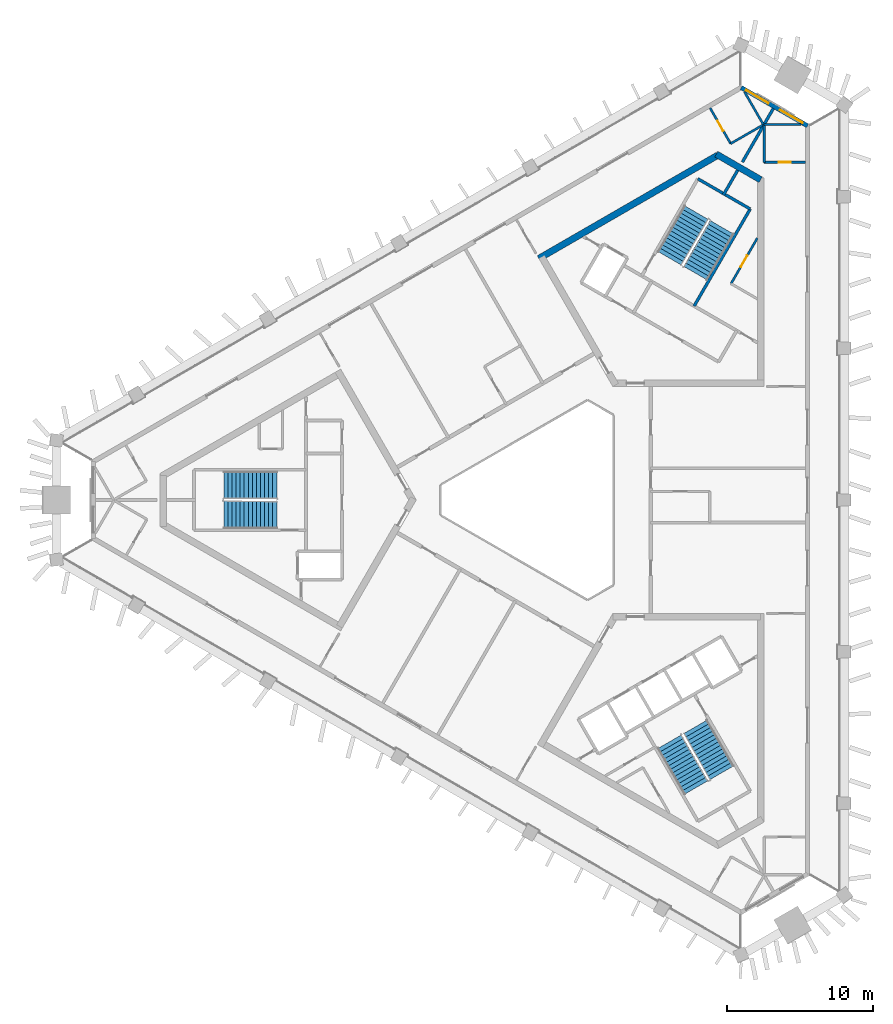
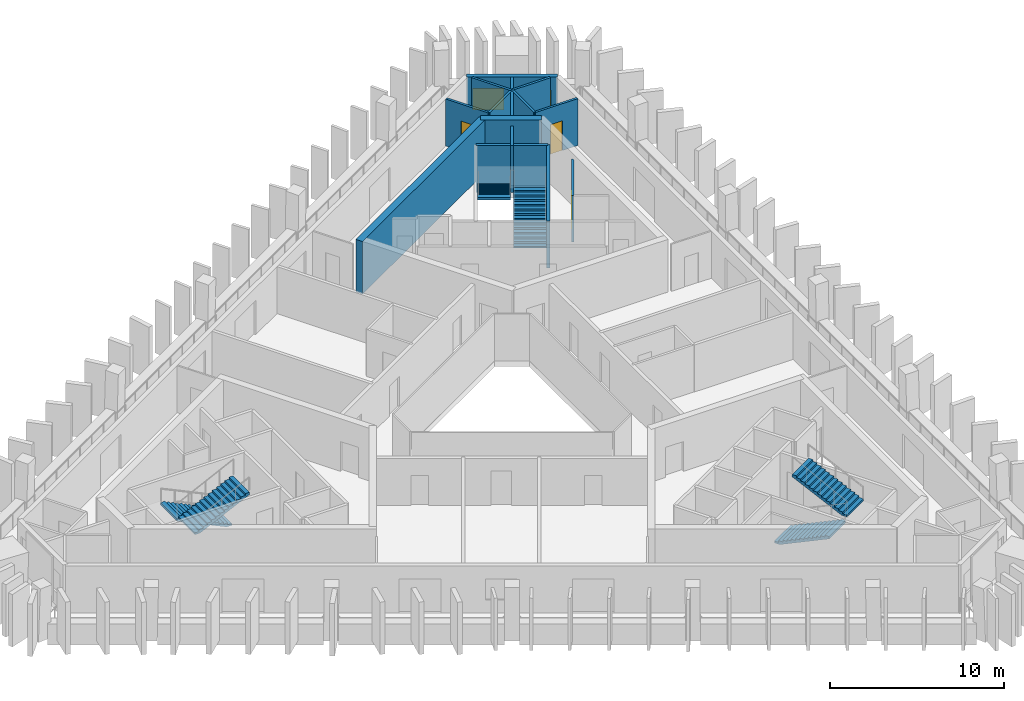
# One storey, part 6 of 9: 14 walls, 6 stair flights, 3 doors, 2 windows, 5 openings, 3 elements without a shape of their own.
"""IFC4 building model written with IfcOpenShell, lengths in metres."""

from ifc_helpers import new_model, si_unit, direction, frame, frame_2d, origin, place, context, subcontext, project, spatial, polyline, rectangle, outline, extrude, material, layer, layer_set, type_object, element, fill, aggregate, save


model = new_model("IFC4")

# Units and contexts
model_context = context("Model", 3, precision=1e-05, world=origin(), true_north=direction((0.0, 1.0)))
body_context = subcontext(model_context, "Body", "Model", "MODEL_VIEW")
ifc_project = project(units=[si_unit("LENGTHUNIT", "METRE"), si_unit("AREAUNIT", "SQUARE_METRE"), si_unit("VOLUMEUNIT", "CUBIC_METRE"), si_unit("PLANEANGLEUNIT", "RADIAN"), si_unit("MASSUNIT", "GRAM", prefix="KILO")], contexts=[model_context])

# Site, building, storey
site_placement = place(None, origin())
site = spatial("IfcSite", under=ifc_project, at=site_placement, CompositionType="ELEMENT")
building_placement = place(site_placement, origin())
building = spatial("IfcBuilding", under=site, at=building_placement, Name="Jabali Bay Hotel Tower and Convention Centre", CompositionType="ELEMENT")
storey_placement = place(building_placement, frame((0.0, 0.0, 209.5)))
storey = spatial("IfcBuildingStorey", under=building, at=storey_placement, Name="L51", CompositionType="ELEMENT", Elevation=209.5)

# Wall
ifc_material_1 = material(Name="Concrete C40", Category="concrete")
ifc_layer_1 = layer(ifc_material_1, 0.199951171875)
ifc_layer_set_1 = layer_set([ifc_layer_1], Name="Concrete C40")
wall_type_1 = type_object("IfcWallType", Name="Core partition wall 200", PredefinedType="PARTITIONING", material=ifc_layer_set_1)
wall_1_placement = place(storey_placement, frame((87.090087890625, 100.9404296875, 0.0), z_axis=(0.0, 0.0, 1.0), x_axis=(0.500011643316, 0.866018681408, 0.0)))
element("IfcWall", 1, at=wall_1_placement, inside=storey, type_object=wall_type_1, Name="Core wall 1.3 L51", PredefinedType="PARTITIONING", context=body_context, shape_type="SweptSolid", body=[
    extrude(rectangle(XDim=1.97314453125, YDim=0.199951171875, at=frame_2d((0.986572265625, 0.0))), origin(), (0.0, 0.0, 1.0), 3.300048828125),
])

# Wall, opening, door
ifc_material_2 = material(Name="Fire-rated board partition")
ifc_layer_2 = layer(ifc_material_2, 0.14990234375)
ifc_layer_set_2 = layer_set([ifc_layer_2], Name="Fire-rated board partition")
wall_type_2 = type_object("IfcWallType", Name="Core room partition 150", PredefinedType="PARTITIONING", material=ifc_layer_set_2)
wall_2_placement = place(storey_placement, frame((87.62109375, 94.8603515625, 0.0), z_axis=(0.0, 0.0, 1.0), x_axis=(0.499993116331, 0.866029378036, 0.0)))
wall_2 = element("IfcWall", 2, at=wall_2_placement, inside=storey, type_object=wall_type_2, Name="Core wall 1.1 L51", PredefinedType="PARTITIONING", context=body_context, shape_type="SweptSolid", body=[
    extrude(rectangle(XDim=3.61767578125, YDim=0.14990234375, at=frame_2d((1.808837890625, 0.0))), origin(), (0.0, 0.0, 1.0), 3.300048828125),
])
opening_1_placement = place(wall_2_placement, frame((1.33154296875, 0.0, 0.0)))
opening_1 = element("IfcOpeningElement", 3, at=opening_1_placement, cuts=wall_2, Name="Opening D1110", PredefinedType="OPENING", context=body_context, shape_type="SweptSolid", body=[
    extrude(rectangle(XDim=0.89990234375, YDim=2.10009765625, at=frame_2d((0.449951171875, 1.050048828125))), frame((0.0, 0.08544921875, 0.0), z_axis=(0.0, -1.0, 0.0), x_axis=(1.0, 0.0, 0.0)), (0.0, 0.0, 1.0), 0.1708984375),
])
ifc_material_3 = material(Name="Fire-rated steel door", Category="steel")
door_type_1 = type_object("IfcDoorType", Name="Core room door 900 x 2100", OperationType="NOTDEFINED", PredefinedType="NOTDEFINED", material=ifc_material_3)
door_1_placement = place(opening_1_placement, origin())
door_1 = element("IfcDoor", 4, at=door_1_placement, inside=storey, type_object=door_type_1, Name="Core room door D1110", OperationType="SINGLE_SWING_LEFT", OverallHeight=2.10009765625, OverallWidth=0.89990234375, PredefinedType="NOTDEFINED", context=body_context, shape_type="SweptSolid", body=[
    extrude(rectangle(XDim=0.89990234375, YDim=2.10009765625, at=frame_2d((0.449951171875, 1.050048828125))), frame((0.0, 0.02490234375, 0.0), z_axis=(0.0, -1.0, 0.0), x_axis=(1.0, 0.0, 0.0)), (0.0, 0.0, 1.0), 0.050048828125),
])
fill(opening_1, door_1)

# Walls
ifc_layer_3 = layer(ifc_material_1, 0.199951171875)
ifc_layer_set_3 = layer_set([ifc_layer_3], Name="Concrete C40")
wall_type_3 = type_object("IfcWallType", Name="Core stair wall 200", PredefinedType="SOLIDWALL", material=ifc_layer_set_3)
wall_3_placement = place(storey_placement, frame((85.0869140625, 93.3212890625, 0.0), z_axis=(0.0, 0.0, 1.0), x_axis=(0.500019787375, 0.866013979237, 0.0)))
element("IfcWall", 5, at=wall_3_placement, inside=storey, type_object=wall_type_3, Name="Core wall 1.2 L51", PredefinedType="SOLIDWALL", context=body_context, shape_type="SweptSolid", body=[
    extrude(rectangle(XDim=7.699951171875, YDim=0.199951171875, at=frame_2d((3.85009765625, 0.0))), origin(), (0.0, 0.0, 1.0), 3.300048828125),
])
wall_4_placement = place(storey_placement, frame((88.93701171875, 99.989501953125, 0.0), z_axis=(0.0, 0.0, 1.0), x_axis=(-0.866004344652, 0.500036473714, 0.0)))
element("IfcWall", 6, at=wall_4_placement, inside=storey, type_object=wall_type_3, Name="Core wall 1.13 L51", PredefinedType="SOLIDWALL", context=body_context, shape_type="SweptSolid", body=[
    extrude(rectangle(XDim=4.150146484375, YDim=0.199951171875, at=frame_2d((2.0751953125, 0.0))), origin(), (0.0, 0.0, 1.0), 3.300048828125),
])
ifc_material_4 = material(Name="Concrete C60", Category="concrete")
ifc_layer_4 = layer(ifc_material_4, 0.449951171875)
ifc_layer_set_4 = layer_set([ifc_layer_4], Name="Concrete C60")
wall_type_4 = type_object("IfcWallType", Name="Core wall 450", PredefinedType="SHEAR", material=ifc_layer_set_4)
wall_5_placement = place(storey_placement, frame((89.655029296875, 101.997802734375, 0.0), z_axis=(0.0, 0.0, 1.0), x_axis=(-0.866042179588, 0.49997094233, 0.0)))
element("IfcWall", 7, at=wall_5_placement, inside=storey, type_object=wall_type_4, Name="Core wall 2.3 L51", PredefinedType="SHEAR", context=body_context, shape_type="SweptSolid", body=[
    extrude(rectangle(XDim=3.515380859375, YDim=0.449951171875, at=frame_2d((1.7578125, 0.0))), origin(), (0.0, 0.0, 1.0), 3.699951171875),
])
wall_6_placement = place(storey_placement, frame((86.72314453125, 103.6904296875, 0.0), z_axis=(0.0, 0.0, 1.0), x_axis=(-0.866022713978, -0.500004658852, 0.0)))
element("IfcWall", 8, at=wall_6_placement, inside=storey, type_object=wall_type_4, Name="Core wall 2.4 L51", PredefinedType="SHEAR", context=body_context, shape_type="SweptSolid", body=[
    extrude(rectangle(XDim=14.203369140625, YDim=0.449951171875, at=frame_2d((7.1015625, 0.0))), origin(), (0.0, 0.0, 1.0), 3.699951171875),
])

# Wall, openings, windows
ifc_layer_5 = layer(ifc_material_1, 0.300048828125)
ifc_layer_set_5 = layer_set([ifc_layer_5], Name="Concrete C40")
wall_type_5 = type_object("IfcWallType", Name="External wall 300", PredefinedType="SOLIDWALL", material=ifc_layer_set_5)
wall_7_placement = place(storey_placement, frame((88.321533203125, 108.332763671875, 0.0), z_axis=(0.0, 0.0, 1.0), x_axis=(0.866014735099, -0.50001847825, 0.0)))
wall_7 = element("IfcWall", 9, at=wall_7_placement, inside=storey, type_object=wall_type_5, Name="External wall north-east chamfer L51", PredefinedType="SOLIDWALL", context=body_context, shape_type="SweptSolid", body=[
    extrude(rectangle(XDim=5.259033203125, YDim=0.300048828125, at=frame_2d((2.62939453125, 0.0))), origin(), (0.0, 0.0, 1.0), 3.300048828125),
])
opening_2_placement = place(wall_7_placement, frame((3.082275390625, 0.0, 0.89990234375)))
opening_2 = element("IfcOpeningElement", 10, at=opening_2_placement, cuts=wall_7, Name="Opening W1", PredefinedType="OPENING", context=body_context, shape_type="SweptSolid", body=[
    extrude(rectangle(XDim=1.800048828125, YDim=1.5, at=frame_2d((0.89990234375, 0.75))), frame((0.0, 0.16064453125, 0.0), z_axis=(0.0, -1.0, 0.0), x_axis=(1.0, 0.0, 0.0)), (0.0, 0.0, 1.0), 0.321044921875),
])
opening_3_placement = place(wall_7_placement, frame((0.365234375, 0.0, 0.89990234375)))
opening_3 = element("IfcOpeningElement", 11, at=opening_3_placement, cuts=wall_7, Name="Opening W1", PredefinedType="OPENING", context=body_context, shape_type="SweptSolid", body=[
    extrude(rectangle(XDim=1.800048828125, YDim=1.5, at=frame_2d((0.89990234375, 0.75))), frame((0.0, 0.16064453125, 0.0), z_axis=(0.0, -1.0, 0.0), x_axis=(1.0, 0.0, 0.0)), (0.0, 0.0, 1.0), 0.321044921875),
])
ifc_material_5 = material(Name="Glass", Category="glass")
window_type = type_object("IfcWindowType", Name="Window 1800 x 1500", PartitioningType="SINGLE_PANEL", PredefinedType="WINDOW", material=ifc_material_5)
window_1_placement = place(opening_2_placement, origin())
window_1 = element("IfcWindow", 12, at=window_1_placement, inside=storey, type_object=window_type, Name="Window 5103", OverallHeight=1.5, OverallWidth=1.800048828125, PartitioningType="SINGLE_PANEL", PredefinedType="WINDOW", context=body_context, shape_type="SweptSolid", body=[
    extrude(rectangle(XDim=1.800048828125, YDim=1.5, at=frame_2d((0.89990234375, 0.75))), frame((0.0, 0.030029296875, 0.0), z_axis=(0.0, -1.0, 0.0), x_axis=(1.0, 0.0, 0.0)), (0.0, 0.0, 1.0), 0.06005859375),
])
fill(opening_2, window_1)
window_2_placement = place(opening_3_placement, origin())
window_2 = element("IfcWindow", 13, at=window_2_placement, inside=storey, type_object=window_type, Name="Window 5104", OverallHeight=1.5, OverallWidth=1.800048828125, PartitioningType="SINGLE_PANEL", PredefinedType="WINDOW", context=body_context, shape_type="SweptSolid", body=[
    extrude(rectangle(XDim=1.800048828125, YDim=1.5, at=frame_2d((0.89990234375, 0.75))), frame((0.0, 0.030029296875, 0.0), z_axis=(0.0, -1.0, 0.0), x_axis=(1.0, 0.0, 0.0)), (0.0, 0.0, 1.0), 0.06005859375),
])
fill(opening_3, window_2)

# Wall, opening, door
ifc_material_6 = material(Name="Plasterboard on steel stud", Category="steel")
ifc_layer_6 = layer(ifc_material_6, 0.14990234375)
ifc_layer_set_6 = layer_set([ifc_layer_6], Name="Plasterboard on steel stud")
wall_type_6 = type_object("IfcWallType", Name="Partition 150 wet", PredefinedType="PARTITIONING", material=ifc_layer_set_6)
wall_8_placement = place(storey_placement, frame((92.72705078125, 103.1943359375, 0.0), z_axis=(0.0, 0.0, 1.0), x_axis=(-1.0, 0.0, 0.0)))
wall_8 = element("IfcWall", 14, at=wall_8_placement, inside=storey, type_object=wall_type_6, Name="Partition P03 L51 012", PredefinedType="PARTITIONING", context=body_context, shape_type="SweptSolid", body=[
    extrude(rectangle(XDim=2.825439453125, YDim=0.14990234375, at=frame_2d((1.41259765625, 0.0))), origin(), (0.0, 0.0, 1.0), 3.300048828125),
])
opening_4_placement = place(wall_8_placement, frame((1.012939453125, 0.0, 0.0)))
opening_4 = element("IfcOpeningElement", 15, at=opening_4_placement, cuts=wall_8, Name="Opening 5108", PredefinedType="OPENING", context=body_context, shape_type="SweptSolid", body=[
    extrude(rectangle(XDim=0.800048828125, YDim=2.10009765625, at=frame_2d((0.39990234375, 1.050048828125))), frame((0.0, 0.08544921875, 0.0), z_axis=(0.0, -1.0, 0.0), x_axis=(1.0, 0.0, 0.0)), (0.0, 0.0, 1.0), 0.1708984375),
])
ifc_material_7 = material(Name="Timber", Category="wood")
door_type_2 = type_object("IfcDoorType", Name="En-suite door 800 x 2100", OperationType="NOTDEFINED", PredefinedType="NOTDEFINED", material=ifc_material_7)
door_2_placement = place(opening_4_placement, origin())
door_2 = element("IfcDoor", 16, at=door_2_placement, inside=storey, type_object=door_type_2, Name="Door 5108", OperationType="SINGLE_SWING_LEFT", OverallHeight=2.10009765625, OverallWidth=0.800048828125, PredefinedType="NOTDEFINED", context=body_context, shape_type="SweptSolid", body=[
    extrude(rectangle(XDim=0.800048828125, YDim=2.10009765625, at=frame_2d((0.39990234375, 1.050048828125))), frame((0.0, 0.02490234375, 0.0), z_axis=(0.0, -1.0, 0.0), x_axis=(1.0, 0.0, 0.0)), (0.0, 0.0, 1.0), 0.050048828125),
])
fill(opening_4, door_2)

# Walls
wall_9_placement = place(storey_placement, frame((89.901611328125, 103.1943359375, 0.0), z_axis=(0.0, 0.0, 1.0), x_axis=(0.0, 1.0, 0.0)))
element("IfcWall", 17, at=wall_9_placement, inside=storey, type_object=wall_type_6, Name="Partition P03 L51 013", PredefinedType="PARTITIONING", context=body_context, shape_type="SweptSolid", body=[
    extrude(rectangle(XDim=2.599853515625, YDim=0.14990234375, at=frame_2d((1.2998046875, 0.0))), origin(), (0.0, 0.0, 1.0), 3.300048828125),
])
wall_10_placement = place(storey_placement, frame((89.901611328125, 105.794189453125, 0.0), z_axis=(0.0, 0.0, 1.0), x_axis=(1.0, 0.0, 0.0)))
element("IfcWall", 18, at=wall_10_placement, inside=storey, type_object=wall_type_6, Name="Partition P03 L51 014", PredefinedType="PARTITIONING", context=body_context, shape_type="SweptSolid", body=[
    extrude(rectangle(XDim=2.518798828125, YDim=0.14990234375, at=frame_2d((1.25927734375, 0.0))), origin(), (0.0, 0.0, 1.0), 3.300048828125),
])
wall_11_placement = place(storey_placement, frame((88.5478515625, 108.030029296875, 0.0), z_axis=(0.0, 0.0, 1.0), x_axis=(0.500058503878, -0.86599162392, 0.0)))
element("IfcWall", 19, at=wall_11_placement, inside=storey, type_object=wall_type_6, Name="Partition P03 L51 018", PredefinedType="PARTITIONING", context=body_context, shape_type="SweptSolid", body=[
    extrude(rectangle(XDim=2.599365234375, YDim=0.14990234375, at=frame_2d((1.2998046875, 0.0))), origin(), (0.0, 0.0, 1.0), 3.300048828125),
])
wall_12_placement = place(storey_placement, frame((89.84765625, 105.779052734375, 0.0), z_axis=(0.0, 0.0, 1.0), x_axis=(-0.866021400173, -0.500006934395, 0.0)))
element("IfcWall", 20, at=wall_12_placement, inside=storey, type_object=wall_type_6, Name="Partition P03 L51 019", PredefinedType="PARTITIONING", context=body_context, shape_type="SweptSolid", body=[
    extrude(rectangle(XDim=2.60009765625, YDim=0.14990234375, at=frame_2d((1.300048828125, 0.0))), origin(), (0.0, 0.0, 1.0), 3.300048828125),
])

# Wall, opening, door
wall_13_placement = place(storey_placement, frame((87.595947265625, 104.47900390625, 0.0), z_axis=(0.0, 0.0, 1.0), x_axis=(-0.500014143148, 0.86601723808, 0.0)))
wall_13 = element("IfcWall", 21, at=wall_13_placement, inside=storey, type_object=wall_type_6, Name="Partition P03 L51 020", PredefinedType="PARTITIONING", context=body_context, shape_type="SweptSolid", body=[
    extrude(rectangle(XDim=2.82568359375, YDim=0.14990234375, at=frame_2d((1.412841796875, 0.0))), origin(), (0.0, 0.0, 1.0), 3.300048828125),
])
opening_5_placement = place(wall_13_placement, frame((1.012939453125, 0.0, 0.0)))
opening_5 = element("IfcOpeningElement", 22, at=opening_5_placement, cuts=wall_13, Name="Opening 5111", PredefinedType="OPENING", context=body_context, shape_type="SweptSolid", body=[
    extrude(rectangle(XDim=0.800048828125, YDim=2.10009765625, at=frame_2d((0.39990234375, 1.050048828125))), frame((0.0, 0.08544921875, 0.0), z_axis=(0.0, -1.0, 0.0), x_axis=(1.0, 0.0, 0.0)), (0.0, 0.0, 1.0), 0.1708984375),
])
door_3_placement = place(opening_5_placement, origin())
door_3 = element("IfcDoor", 23, at=door_3_placement, inside=storey, type_object=door_type_2, Name="Door 5111", OperationType="SINGLE_SWING_LEFT", OverallHeight=2.10009765625, OverallWidth=0.800048828125, PredefinedType="NOTDEFINED", context=body_context, shape_type="SweptSolid", body=[
    extrude(rectangle(XDim=0.800048828125, YDim=2.10009765625, at=frame_2d((0.39990234375, 1.050048828125))), frame((0.0, 0.02490234375, 0.0), z_axis=(0.0, -1.0, 0.0), x_axis=(1.0, 0.0, 0.0)), (0.0, 0.0, 1.0), 0.050048828125),
])
fill(opening_5, door_3)

# Wall
ifc_layer_7 = layer(ifc_material_6, 0.199951171875)
ifc_layer_set_7 = layer_set([ifc_layer_7], Name="Plasterboard on steel stud")
wall_type_7 = type_object("IfcWallType", Name="Partition 200 party", PredefinedType="PARTITIONING", material=ifc_layer_set_7)
wall_14_placement = place(storey_placement, frame((90.5244140625, 106.888916015625, 0.0), z_axis=(0.0, 0.0, 1.0), x_axis=(-0.499991184371, -0.86603049343, 0.0)))
element("IfcWall", 24, at=wall_14_placement, inside=storey, type_object=wall_type_7, Name="Partition P01 L51 015", PredefinedType="PARTITIONING", context=body_context, shape_type="SweptSolid", body=[
    extrude(rectangle(XDim=4.24658203125, YDim=0.199951171875, at=frame_2d((2.123291015625, 0.0))), origin(), (0.0, 0.0, 1.0), 3.300048828125),
])

# Stair, stair flights
stair_type = type_object("IfcStairType", Name="Exit stair 1900", PredefinedType="HALF_TURN_STAIR", material=ifc_material_1)
stair_1_placement = place(storey_placement, origin())
stair_1 = element("IfcStair", 25, at=stair_1_placement, inside=storey, type_object=stair_type, Name="L51 Exit Stair 1", PredefinedType="HALF_TURN_STAIR")
stair_flight_type = type_object("IfcStairFlightType", Name="Stair flight concrete 150", PredefinedType="STRAIGHT", material=ifc_material_1)
stair_flight_1_placement = place(storey_placement, frame((56.419921875, 81.02490234375, 0.0), z_axis=(0.0, 0.0, 1.0), x_axis=(-1.0, 0.0, 0.0)))
stair_flight_1 = element("IfcStairFlight", 26, at=stair_flight_1_placement, type_object=stair_flight_type, Name="ST1 flight 1", NumberOfRisers=14, NumberOfTreads=13, PredefinedType="STRAIGHT", RiserHeight=0.132142857, TreadLength=0.28, context=body_context, shape_type="SweptSolid", body=[
    extrude(outline(polyline([(0.0, 0.0), (0.0, 0.132080078125), (0.280029296875, 0.132080078125), (0.280029296875, 0.264404296875), (0.56005859375, 0.264404296875), (0.56005859375, 0.396484375), (0.840087890625, 0.396484375), (0.840087890625, 0.528564453125), (1.1201171875, 0.528564453125), (1.1201171875, 0.66064453125), (1.39990234375, 0.66064453125), (1.39990234375, 0.79296875), (1.679931640625, 0.79296875), (1.679931640625, 0.925048828125), (1.9599609375, 0.925048828125), (1.9599609375, 1.05712890625), (2.239990234375, 1.05712890625), (2.239990234375, 1.189208984375), (2.52001953125, 1.189208984375), (2.52001953125, 1.321533203125), (2.800048828125, 1.321533203125), (2.800048828125, 1.45361328125), (3.080078125, 1.45361328125), (3.080078125, 1.585693359375), (3.360107421875, 1.585693359375), (3.360107421875, 1.7177734375), (3.639892578125, 1.7177734375), (3.639892578125, 1.85009765625), (3.639892578125, 1.552001953125), (0.351318359375, 0.0), (0.0, 0.0)])), frame((0.0, 0.949951171875, 0.0), z_axis=(0.0, -1.0, 0.0), x_axis=(1.0, 0.0, 0.0)), (0.0, 0.0, 1.0), 1.89990234375),
])
stair_flight_2_placement = place(storey_placement, frame((52.780029296875, 78.97509765625, 1.85009765625), z_axis=(0.0, 0.0, 1.0), x_axis=(1.0, 0.0, 0.0)))
stair_flight_2 = element("IfcStairFlight", 27, at=stair_flight_2_placement, type_object=stair_flight_type, Name="ST1 flight 2", NumberOfRisers=14, NumberOfTreads=13, PredefinedType="STRAIGHT", RiserHeight=0.132142857, TreadLength=0.28, context=body_context, shape_type="SweptSolid", body=[
    extrude(outline(polyline([(0.0, 0.0), (0.0, 0.132080078125), (0.280029296875, 0.132080078125), (0.280029296875, 0.264404296875), (0.56005859375, 0.264404296875), (0.56005859375, 0.396484375), (0.840087890625, 0.396484375), (0.840087890625, 0.528564453125), (1.1201171875, 0.528564453125), (1.1201171875, 0.66064453125), (1.39990234375, 0.66064453125), (1.39990234375, 0.79296875), (1.679931640625, 0.79296875), (1.679931640625, 0.925048828125), (1.9599609375, 0.925048828125), (1.9599609375, 1.05712890625), (2.239990234375, 1.05712890625), (2.239990234375, 1.189208984375), (2.52001953125, 1.189208984375), (2.52001953125, 1.321533203125), (2.800048828125, 1.321533203125), (2.800048828125, 1.45361328125), (3.080078125, 1.45361328125), (3.080078125, 1.585693359375), (3.360107421875, 1.585693359375), (3.360107421875, 1.7177734375), (3.639892578125, 1.7177734375), (3.639892578125, 1.85009765625), (3.639892578125, 1.552001953125), (0.351318359375, 0.0), (0.0, 0.0)])), frame((0.0, 0.949951171875, 0.0), z_axis=(0.0, -1.0, 0.0), x_axis=(1.0, 0.0, 0.0)), (0.0, 0.0, 1.0), 1.89990234375),
])
aggregate(stair_1, [stair_flight_1, stair_flight_2])

stair_2_placement = place(storey_placement, origin())
stair_2 = element("IfcStair", 28, at=stair_2_placement, inside=storey, type_object=stair_type, Name="L51 Exit Stair 2", PredefinedType="HALF_TURN_STAIR")
stair_flight_3_placement = place(storey_placement, frame((85.177734375, 95.578369140625, 0.0), z_axis=(0.0, 0.0, 1.0), x_axis=(0.5, 0.866025403784, 0.0)))
stair_flight_3 = element("IfcStairFlight", 29, at=stair_flight_3_placement, type_object=stair_flight_type, Name="ST2 flight 1", NumberOfRisers=14, NumberOfTreads=13, PredefinedType="STRAIGHT", RiserHeight=0.132142857, TreadLength=0.28, context=body_context, shape_type="SweptSolid", body=[
    extrude(outline(polyline([(0.0, 0.0), (0.0, 0.132080078125), (0.280029296875, 0.132080078125), (0.280029296875, 0.264404296875), (0.56005859375, 0.264404296875), (0.56005859375, 0.396484375), (0.840087890625, 0.396484375), (0.840087890625, 0.528564453125), (1.1201171875, 0.528564453125), (1.1201171875, 0.66064453125), (1.39990234375, 0.66064453125), (1.39990234375, 0.79296875), (1.679931640625, 0.79296875), (1.679931640625, 0.925048828125), (1.9599609375, 0.925048828125), (1.9599609375, 1.05712890625), (2.239990234375, 1.05712890625), (2.239990234375, 1.189208984375), (2.52001953125, 1.189208984375), (2.52001953125, 1.321533203125), (2.800048828125, 1.321533203125), (2.800048828125, 1.45361328125), (3.080078125, 1.45361328125), (3.080078125, 1.585693359375), (3.360107421875, 1.585693359375), (3.360107421875, 1.7177734375), (3.639892578125, 1.7177734375), (3.639892578125, 1.85009765625), (3.639892578125, 1.552001953125), (0.351318359375, 0.0), (0.0, 0.0)])), frame((0.0, 0.949951171875, 0.0), z_axis=(0.0, -1.0, 0.0), x_axis=(1.0, 0.0, 0.0)), (0.0, 0.0, 1.0), 1.89990234375),
])
stair_flight_4_placement = place(storey_placement, frame((85.222412109375, 99.755615234375, 1.85009765625), z_axis=(0.0, 0.0, 1.0), x_axis=(-0.5, -0.866025403784, 0.0)))
stair_flight_4 = element("IfcStairFlight", 30, at=stair_flight_4_placement, type_object=stair_flight_type, Name="ST2 flight 2", NumberOfRisers=14, NumberOfTreads=13, PredefinedType="STRAIGHT", RiserHeight=0.132142857, TreadLength=0.28, context=body_context, shape_type="SweptSolid", body=[
    extrude(outline(polyline([(0.0, 0.0), (0.0, 0.132080078125), (0.280029296875, 0.132080078125), (0.280029296875, 0.264404296875), (0.56005859375, 0.264404296875), (0.56005859375, 0.396484375), (0.840087890625, 0.396484375), (0.840087890625, 0.528564453125), (1.1201171875, 0.528564453125), (1.1201171875, 0.66064453125), (1.39990234375, 0.66064453125), (1.39990234375, 0.79296875), (1.679931640625, 0.79296875), (1.679931640625, 0.925048828125), (1.9599609375, 0.925048828125), (1.9599609375, 1.05712890625), (2.239990234375, 1.05712890625), (2.239990234375, 1.189208984375), (2.52001953125, 1.189208984375), (2.52001953125, 1.321533203125), (2.800048828125, 1.321533203125), (2.800048828125, 1.45361328125), (3.080078125, 1.45361328125), (3.080078125, 1.585693359375), (3.360107421875, 1.585693359375), (3.360107421875, 1.7177734375), (3.639892578125, 1.7177734375), (3.639892578125, 1.85009765625), (3.639892578125, 1.552001953125), (0.351318359375, 0.0), (0.0, 0.0)])), frame((0.0, 0.949951171875, 0.0), z_axis=(0.0, -1.0, 0.0), x_axis=(1.0, 0.0, 0.0)), (0.0, 0.0, 1.0), 1.89990234375),
])
aggregate(stair_2, [stair_flight_3, stair_flight_4])

stair_3_placement = place(storey_placement, origin())
stair_3 = element("IfcStair", 31, at=stair_3_placement, inside=storey, type_object=stair_type, Name="L51 Exit Stair 3", PredefinedType="HALF_TURN_STAIR")
stair_flight_5_placement = place(storey_placement, frame((83.40234375, 63.396728515625, 0.0), z_axis=(0.0, 0.0, 1.0), x_axis=(0.5, -0.866025403784, 0.0)))
stair_flight_5 = element("IfcStairFlight", 32, at=stair_flight_5_placement, type_object=stair_flight_type, Name="ST3 flight 1", NumberOfRisers=14, NumberOfTreads=13, PredefinedType="STRAIGHT", RiserHeight=0.132142857, TreadLength=0.28, context=body_context, shape_type="SweptSolid", body=[
    extrude(outline(polyline([(0.0, 0.0), (0.0, 0.132080078125), (0.280029296875, 0.132080078125), (0.280029296875, 0.264404296875), (0.56005859375, 0.264404296875), (0.56005859375, 0.396484375), (0.840087890625, 0.396484375), (0.840087890625, 0.528564453125), (1.1201171875, 0.528564453125), (1.1201171875, 0.66064453125), (1.39990234375, 0.66064453125), (1.39990234375, 0.79296875), (1.679931640625, 0.79296875), (1.679931640625, 0.925048828125), (1.9599609375, 0.925048828125), (1.9599609375, 1.05712890625), (2.239990234375, 1.05712890625), (2.239990234375, 1.189208984375), (2.52001953125, 1.189208984375), (2.52001953125, 1.321533203125), (2.800048828125, 1.321533203125), (2.800048828125, 1.45361328125), (3.080078125, 1.45361328125), (3.080078125, 1.585693359375), (3.360107421875, 1.585693359375), (3.360107421875, 1.7177734375), (3.639892578125, 1.7177734375), (3.639892578125, 1.85009765625), (3.639892578125, 1.552001953125), (0.351318359375, 0.0), (0.0, 0.0)])), frame((0.0, 0.949951171875, 0.0), z_axis=(0.0, -1.0, 0.0), x_axis=(1.0, 0.0, 0.0)), (0.0, 0.0, 1.0), 1.89990234375),
])
stair_flight_6_placement = place(storey_placement, frame((86.99755859375, 61.26953125, 1.85009765625), z_axis=(0.0, 0.0, 1.0), x_axis=(-0.5, 0.866025403784, 0.0)))
stair_flight_6 = element("IfcStairFlight", 33, at=stair_flight_6_placement, type_object=stair_flight_type, Name="ST3 flight 2", NumberOfRisers=14, NumberOfTreads=13, PredefinedType="STRAIGHT", RiserHeight=0.132142857, TreadLength=0.28, context=body_context, shape_type="SweptSolid", body=[
    extrude(outline(polyline([(0.0, 0.0), (0.0, 0.132080078125), (0.280029296875, 0.132080078125), (0.280029296875, 0.264404296875), (0.56005859375, 0.264404296875), (0.56005859375, 0.396484375), (0.840087890625, 0.396484375), (0.840087890625, 0.528564453125), (1.1201171875, 0.528564453125), (1.1201171875, 0.66064453125), (1.39990234375, 0.66064453125), (1.39990234375, 0.79296875), (1.679931640625, 0.79296875), (1.679931640625, 0.925048828125), (1.9599609375, 0.925048828125), (1.9599609375, 1.05712890625), (2.239990234375, 1.05712890625), (2.239990234375, 1.189208984375), (2.52001953125, 1.189208984375), (2.52001953125, 1.321533203125), (2.800048828125, 1.321533203125), (2.800048828125, 1.45361328125), (3.080078125, 1.45361328125), (3.080078125, 1.585693359375), (3.360107421875, 1.585693359375), (3.360107421875, 1.7177734375), (3.639892578125, 1.7177734375), (3.639892578125, 1.85009765625), (3.639892578125, 1.552001953125), (0.351318359375, 0.0), (0.0, 0.0)])), frame((0.0, 0.949951171875, 0.0), z_axis=(0.0, -1.0, 0.0), x_axis=(1.0, 0.0, 0.0)), (0.0, 0.0, 1.0), 1.89990234375),
])
aggregate(stair_3, [stair_flight_5, stair_flight_6])

save(model, "model.ifc")
